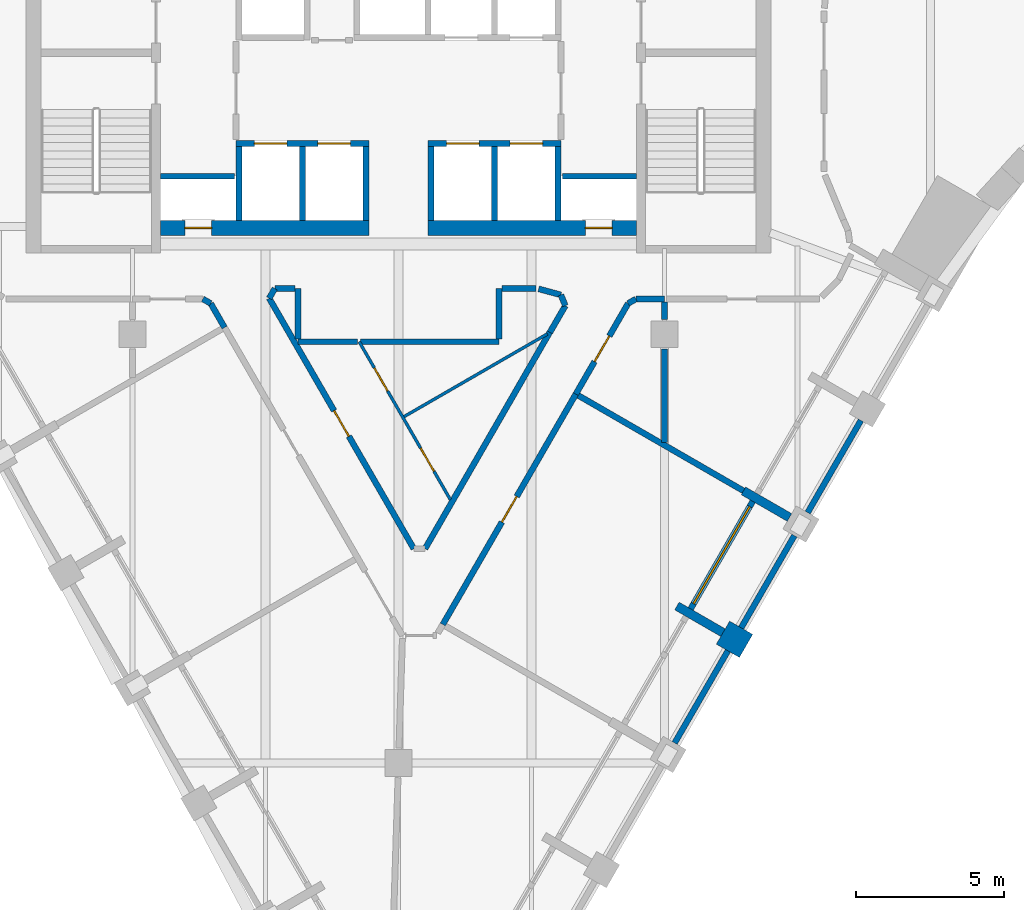
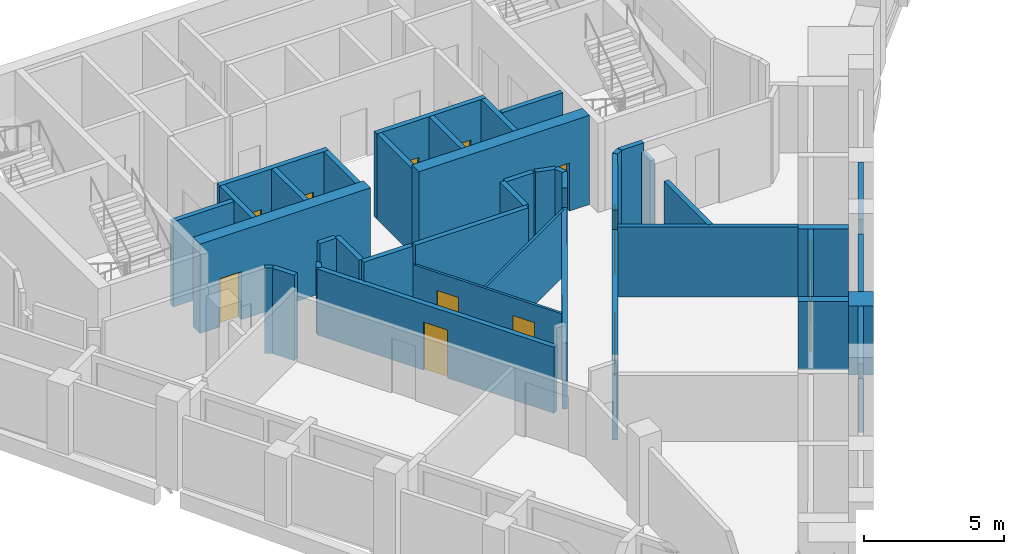
# One storey, part 4 of 9: 42 walls, 11 doors, 1 window, 12 openings.
"""IFC4 building model written with IfcOpenShell, lengths in metres."""

from ifc_helpers import new_model, si_unit, direction, frame, frame_2d, origin, place, context, subcontext, project, spatial, rectangle, extrude, material, layer, layer_set, type_object, element, fill, save


model = new_model("IFC4")

# Units and contexts
model_context = context("Model", 3, precision=1e-05, world=origin(), true_north=direction((0.0, 1.0)))
body_context = subcontext(model_context, "Body", "Model", "MODEL_VIEW")
ifc_project = project(units=[si_unit("LENGTHUNIT", "METRE"), si_unit("AREAUNIT", "SQUARE_METRE"), si_unit("VOLUMEUNIT", "CUBIC_METRE"), si_unit("PLANEANGLEUNIT", "RADIAN"), si_unit("MASSUNIT", "GRAM", prefix="KILO")], contexts=[model_context])

# Site, building, storey
site_placement = place(None, origin())
site = spatial("IfcSite", under=ifc_project, at=site_placement, CompositionType="ELEMENT")
building_placement = place(site_placement, origin())
building = spatial("IfcBuilding", under=site, at=building_placement, Name="Calabash Gate Tower", CompositionType="ELEMENT")
storey_placement = place(building_placement, frame((0.0, 0.0, 283.300048828125)))
storey = spatial("IfcBuildingStorey", under=building, at=storey_placement, Name="L68", CompositionType="ELEMENT", Elevation=283.300048828125)

# Walls
ifc_material_1 = material(Name="Terracotta brick masonry, exposed face", Category="masonry")
ifc_layer_1 = layer(ifc_material_1, 0.89990234375)
ifc_layer_set_1 = layer_set([ifc_layer_1], Name="Brick end wall 900")
wall_type_1 = type_object("IfcWallType", Name="Brick end wall 900", PredefinedType="SOLIDWALL", material=ifc_layer_set_1)
wall_1_placement = place(storey_placement, frame((11.758544921875, -8.041015625, 0.0), z_axis=(0.0, 0.0, 1.0), x_axis=(-0.866013897511, 0.50001992892, 0.0)))
element("IfcWall", 1, at=wall_1_placement, inside=storey, type_object=wall_type_1, Name="Brick pier S20 SE2.3", PredefinedType="SOLIDWALL", context=body_context, shape_type="SweptSolid", body=[
    extrude(rectangle(XDim=0.89990234375, YDim=0.89990234375, at=frame_2d((0.449951171875, 0.0))), origin(), (0.0, 0.0, 1.0), 3.0),
])
ifc_material_2 = material(Name="Terracotta brick masonry, exposed face", Category="masonry")
ifc_layer_2 = layer(ifc_material_2, 0.300048828125)
ifc_layer_set_2 = layer_set([ifc_layer_2], Name="Brick loggia cheek wall 300")
wall_type_2 = type_object("IfcWallType", Name="Brick loggia cheek wall 300", PredefinedType="SOLIDWALL", material=ifc_layer_set_2)
for number, where, z_axis, x_axis, name in (
    (2, (9.42041015625, -6.69091796875, 0.0), (0.0, 0.0, 1.0), (0.865989075817, -0.500062916607, 0.0), "Loggia cheek S20 SE2.3"),
    (3, (13.229248046875, -3.69384765625, 0.0), (0.0, 0.0, 1.0), (-0.866047807691, 0.499961193289, 0.0), "Loggia cheek S20 SE2.4"),
):
    element("IfcWall", number, at=place(storey_placement, frame(where, z_axis=z_axis, x_axis=x_axis)), inside=storey, type_object=wall_type_2, Name=name, PredefinedType="SOLIDWALL", context=body_context, shape_type="SweptSolid", body=[
        extrude(rectangle(XDim=1.800048828125, YDim=0.300048828125, at=frame_2d((0.89990234375, 0.0))), origin(), (0.0, 0.0, 1.0), 3.0),
    ])

# Wall, opening, door
ifc_material_3 = material(Name="Concrete C60/75", Category="concrete")
ifc_layer_3 = layer(ifc_material_3, 0.5)
ifc_layer_set_3 = layer_set([ifc_layer_3], Name="Core wall 500 Concrete C60/75")
wall_type_3 = type_object("IfcWallType", Name="Core wall 500 Concrete C60/75", PredefinedType="SHEAR", material=ifc_layer_set_3)
wall_2_placement = place(storey_placement, frame((-8.050048828125, 6.1025390625, 0.0), z_axis=(0.0, 0.0, 1.0), x_axis=(1.0, 0.0, 0.0)))
wall_2 = element("IfcWall", 4, at=wall_2_placement, inside=storey, type_object=wall_type_3, Name="Core wall Z5-SA L68", PredefinedType="SHEAR", context=body_context, shape_type="SweptSolid", body=[
    extrude(rectangle(XDim=7.050048828125, YDim=0.5, at=frame_2d((3.52490234375, 0.0))), origin(), (0.0, 0.0, 1.0), 3.89990234375),
])
opening_1_placement = place(wall_2_placement, frame((0.824951171875, 0.0, 0.0)))
opening_1 = element("IfcOpeningElement", 5, at=opening_1_placement, cuts=wall_2, Name="Opening O12-008", PredefinedType="OPENING", context=body_context, shape_type="SweptSolid", body=[
    extrude(rectangle(XDim=0.89990234375, YDim=2.10009765625, at=frame_2d((0.449951171875, 1.050048828125))), frame((0.0, 0.260009765625, 0.0), z_axis=(0.0, -1.0, 0.0), x_axis=(1.0, 0.0, 0.0)), (0.0, 0.0, 1.0), 0.52001953125),
])
ifc_material_4 = material(Name="Steel fire door set with fire-resisting glazing", Category="steel")
door_type_1 = type_object("IfcDoorType", Name="Fire door D07 900x2100 FD90", OperationType="NOTDEFINED", PredefinedType="DOOR", material=ifc_material_4)
door_1_placement = place(opening_1_placement, origin())
door_1 = element("IfcDoor", 6, at=door_1_placement, inside=storey, type_object=door_type_1, Name="Electrical Riser W door", OperationType="SINGLE_SWING_LEFT", OverallHeight=2.10009765625, OverallWidth=0.89990234375, PredefinedType="DOOR", context=body_context, shape_type="SweptSolid", body=[
    extrude(rectangle(XDim=0.89990234375, YDim=2.10009765625, at=frame_2d((0.449951171875, 1.050048828125))), frame((0.0, 0.02490234375, 0.0), z_axis=(0.0, -1.0, 0.0), x_axis=(1.0, 0.0, 0.0)), (0.0, 0.0, 1.0), 0.050048828125),
])
fill(opening_1, door_1)

wall_3_placement = place(storey_placement, frame((1.0, 6.1025390625, 0.0), z_axis=(0.0, 0.0, 1.0), x_axis=(1.0, 0.0, 0.0)))
wall_3 = element("IfcWall", 7, at=wall_3_placement, inside=storey, type_object=wall_type_3, Name="Core wall Z5-SB L68", PredefinedType="SHEAR", context=body_context, shape_type="SweptSolid", body=[
    extrude(rectangle(XDim=7.050048828125, YDim=0.5, at=frame_2d((3.52490234375, 0.0))), origin(), (0.0, 0.0, 1.0), 3.89990234375),
])
opening_2_placement = place(wall_3_placement, frame((5.324951171875, 0.0, 0.0)))
opening_2 = element("IfcOpeningElement", 8, at=opening_2_placement, cuts=wall_3, Name="Opening O12-007", PredefinedType="OPENING", context=body_context, shape_type="SweptSolid", body=[
    extrude(rectangle(XDim=0.89990234375, YDim=2.10009765625, at=frame_2d((0.449951171875, 1.050048828125))), frame((0.0, 0.260009765625, 0.0), z_axis=(0.0, -1.0, 0.0), x_axis=(1.0, 0.0, 0.0)), (0.0, 0.0, 1.0), 0.52001953125),
])
door_2_placement = place(opening_2_placement, origin())
door_2 = element("IfcDoor", 9, at=door_2_placement, inside=storey, type_object=door_type_1, Name="Mechanical Riser E door", OperationType="SINGLE_SWING_RIGHT", OverallHeight=2.10009765625, OverallWidth=0.89990234375, PredefinedType="DOOR", context=body_context, shape_type="SweptSolid", body=[
    extrude(rectangle(XDim=0.89990234375, YDim=2.10009765625, at=frame_2d((0.449951171875, 1.050048828125))), frame((0.0, 0.02490234375, 0.0), z_axis=(0.0, -1.0, 0.0), x_axis=(1.0, 0.0, 0.0)), (0.0, 0.0, 1.0), 0.050048828125),
])
fill(opening_2, door_2)

# Wall, openings, doors
ifc_material_5 = material(Name="Gypsum board on steel studs, mineral wool", Category="steel")
ifc_layer_4 = layer(ifc_material_5, 0.10009765625)
ifc_layer_set_4 = layer_set([ifc_layer_4], Name="Partition 100 gypsum board")
wall_type_4 = type_object("IfcWallType", Name="Partition 100 gypsum board", PredefinedType="PARTITIONING", material=ifc_layer_set_4)
wall_4_placement = place(storey_placement, frame((-1.330078125, 2.25244140625, 0.0), z_axis=(0.0, 0.0, 1.0), x_axis=(0.499984964964, -0.866034084092, 0.0)))
wall_4 = element("IfcWall", 10, at=wall_4_placement, inside=storey, type_object=wall_type_4, Name="Partition", PredefinedType="PARTITIONING", context=body_context, shape_type="SweptSolid", body=[
    extrude(rectangle(XDim=6.172119140625, YDim=0.10009765625, at=frame_2d((3.0859375, 0.0))), origin(), (0.0, 0.0, 1.0), 2.884033203125),
])
opening_3_placement = place(wall_4_placement, frame((1.025634765625, 0.0, 0.0)))
opening_3 = element("IfcOpeningElement", 11, at=opening_3_placement, cuts=wall_4, Name="Opening 67-68-013", PredefinedType="OPENING", context=body_context, shape_type="SweptSolid", body=[
    extrude(rectangle(XDim=0.89990234375, YDim=2.10009765625, at=frame_2d((0.449951171875, 1.050048828125))), frame((0.0, 0.06005859375, 0.0), z_axis=(0.0, -1.0, 0.0), x_axis=(1.0, 0.0, 0.0)), (0.0, 0.0, 1.0), 0.1201171875),
])
opening_4_placement = place(wall_4_placement, frame((4.162841796875, 0.0, 0.0)))
opening_4 = element("IfcOpeningElement", 12, at=opening_4_placement, cuts=wall_4, Name="Opening 67-68-014", PredefinedType="OPENING", context=body_context, shape_type="SweptSolid", body=[
    extrude(rectangle(XDim=0.89990234375, YDim=2.10009765625, at=frame_2d((0.449951171875, 1.050048828125))), frame((0.0, 0.06005859375, 0.0), z_axis=(0.0, -1.0, 0.0), x_axis=(1.0, 0.0, 0.0)), (0.0, 0.0, 1.0), 0.1201171875),
])
ifc_material_6 = material(Name="Painted timber door", Category="wood")
door_type_2 = type_object("IfcDoorType", Name="WD1 WC door 900x2100", OperationType="NOTDEFINED", PredefinedType="DOOR", material=ifc_material_6)
door_3_placement = place(opening_3_placement, origin())
door_3 = element("IfcDoor", 13, at=door_3_placement, inside=storey, type_object=door_type_2, Name="WC door", OperationType="SINGLE_SWING_LEFT", OverallHeight=2.10009765625, OverallWidth=0.89990234375, PredefinedType="DOOR", context=body_context, shape_type="SweptSolid", body=[
    extrude(rectangle(XDim=0.89990234375, YDim=2.10009765625, at=frame_2d((0.449951171875, 1.050048828125))), frame((0.0, 0.02490234375, 0.0), z_axis=(0.0, -1.0, 0.0), x_axis=(1.0, 0.0, 0.0)), (0.0, 0.0, 1.0), 0.050048828125),
])
fill(opening_3, door_3)
door_4_placement = place(opening_4_placement, origin())
door_4 = element("IfcDoor", 14, at=door_4_placement, inside=storey, type_object=door_type_2, Name="WC door", OperationType="SINGLE_SWING_RIGHT", OverallHeight=2.10009765625, OverallWidth=0.89990234375, PredefinedType="DOOR", context=body_context, shape_type="SweptSolid", body=[
    extrude(rectangle(XDim=0.89990234375, YDim=2.10009765625, at=frame_2d((0.449951171875, 1.050048828125))), frame((0.0, 0.02490234375, 0.0), z_axis=(0.0, -1.0, 0.0), x_axis=(1.0, 0.0, 0.0)), (0.0, 0.0, 1.0), 0.050048828125),
])
fill(opening_4, door_4)

# Walls
wall_5_placement = place(storey_placement, frame((0.190185546875, -0.28125, 0.0), z_axis=(0.0, 0.0, 1.0), x_axis=(0.866035935605, 0.499981757907, 0.0)))
element("IfcWall", 15, at=wall_5_placement, inside=storey, type_object=wall_type_4, Name="Partition", PredefinedType="PARTITIONING", context=body_context, shape_type="SweptSolid", body=[
    extrude(rectangle(XDim=5.596435546875, YDim=0.10009765625, at=frame_2d((2.79833984375, 0.0))), origin(), (0.0, 0.0, 1.0), 2.884033203125),
])
ifc_material_7 = material(Name="Gypsum board on steel studs, mineral wool", Category="steel")
ifc_layer_5 = layer(ifc_material_7, 0.199951171875)
ifc_layer_set_5 = layer_set([ifc_layer_5], Name="Partition 200 gypsum board EI 60")
wall_type_5 = type_object("IfcWallType", Name="Partition 200 gypsum board EI 60", PredefinedType="PARTITIONING", material=ifc_layer_set_5)
wall_6_placement = place(storey_placement, frame((0.898193359375, -4.75146484375, 0.0), z_axis=(0.0, 0.0, 1.0), x_axis=(0.499141293918, 0.866520610664, 0.0)))
element("IfcWall", 16, at=wall_6_placement, inside=storey, type_object=wall_type_5, Name="Partition", PredefinedType="PARTITIONING", context=body_context, shape_type="SweptSolid", body=[
    extrude(rectangle(XDim=8.450927734375, YDim=0.199951171875, at=frame_2d((4.2255859375, 0.0))), origin(), (0.0, 0.0, 1.0), 2.884033203125),
])
wall_7_placement = place(storey_placement, frame((6.0859375, 0.4326171875, 0.0), z_axis=(0.0, 0.0, 1.0), x_axis=(0.866035557451, -0.499982412921, 0.0)))
element("IfcWall", 17, at=wall_7_placement, inside=storey, type_object=wall_type_5, Name="Partition", PredefinedType="PARTITIONING", context=body_context, shape_type="SweptSolid", body=[
    extrude(rectangle(XDim=6.449462890625, YDim=0.199951171875, at=frame_2d((3.224609375, 0.0))), origin(), (0.0, 0.0, 1.0), 3.0517578125),
])

# Wall, opening, door
wall_8_placement = place(storey_placement, frame((1.49951171875, -7.314208984375, 0.0), z_axis=(0.0, 0.0, 1.0), x_axis=(0.499990139034, 0.866031096941, 0.0)))
wall_8 = element("IfcWall", 18, at=wall_8_placement, inside=storey, type_object=wall_type_5, Name="Partition", PredefinedType="PARTITIONING", context=body_context, shape_type="SweptSolid", body=[
    extrude(rectangle(XDim=9.000244140625, YDim=0.199951171875, at=frame_2d((4.5, 0.0))), origin(), (0.0, 0.0, 1.0), 2.884033203125),
])
opening_5_placement = place(wall_8_placement, frame((4.0, 0.0, 0.0)))
opening_5 = element("IfcOpeningElement", 19, at=opening_5_placement, cuts=wall_8, Name="Opening 67-68-002", PredefinedType="OPENING", context=body_context, shape_type="SweptSolid", body=[
    extrude(rectangle(XDim=1.0, YDim=2.10009765625, at=frame_2d((0.5, 1.050048828125))), frame((0.0, 0.10986328125, 0.0), z_axis=(0.0, -1.0, 0.0), x_axis=(1.0, 0.0, 0.0)), (0.0, 0.0, 1.0), 0.219970703125),
])
ifc_material_8 = material(Name="Steel fire door set with fire-resisting glazing", Category="steel")
door_type_3 = type_object("IfcDoorType", Name="LD2 Meeting room door 1000x2100", OperationType="NOTDEFINED", PredefinedType="DOOR", material=ifc_material_8)
door_5_placement = place(opening_5_placement, origin())
door_5 = element("IfcDoor", 20, at=door_5_placement, inside=storey, type_object=door_type_3, Name="Meeting room door", OperationType="SINGLE_SWING_RIGHT", OverallHeight=2.10009765625, OverallWidth=1.0, PredefinedType="DOOR", context=body_context, shape_type="SweptSolid", body=[
    extrude(rectangle(XDim=1.0, YDim=2.10009765625, at=frame_2d((0.5, 1.050048828125))), frame((0.0, 0.02490234375, 0.0), z_axis=(0.0, -1.0, 0.0), x_axis=(1.0, 0.0, 0.0)), (0.0, 0.0, 1.0), 0.050048828125),
])
fill(opening_5, door_5)

# Walls
wall_9_placement = place(storey_placement, frame((9.000244140625, -1.151611328125, 0.0), z_axis=(0.0, 0.0, 1.0), x_axis=(0.0, 1.0, 0.0)))
element("IfcWall", 21, at=wall_9_placement, inside=storey, type_object=wall_type_5, Name="Partition", PredefinedType="PARTITIONING", context=body_context, shape_type="SweptSolid", body=[
    extrude(rectangle(XDim=3.151611328125, YDim=0.199951171875, at=frame_2d((1.57568359375, 0.0))), origin(), (0.0, 0.0, 1.0), 3.0517578125),
])
wall_10_placement = place(storey_placement, frame((-3.400146484375, 2.25244140625, 0.0), z_axis=(0.0, 0.0, 1.0), x_axis=(0.999999531889, -0.00096758542, 0.0)))
element("IfcWall", 22, at=wall_10_placement, inside=storey, type_object=wall_type_5, Name="Partition", PredefinedType="PARTITIONING", context=body_context, shape_type="SweptSolid", body=[
    extrude(rectangle(XDim=2.0185546875, YDim=0.199951171875, at=frame_2d((1.00927734375, 0.0))), origin(), (0.0, 0.0, 1.0), 3.72998046875),
])
wall_11_placement = place(storey_placement, frame((-1.28125, 2.25048828125, 0.0), z_axis=(0.0, 0.0, 1.0), x_axis=(0.999999912959, 0.000417231632, 0.0)))
element("IfcWall", 23, at=wall_11_placement, inside=storey, type_object=wall_type_5, Name="Partition", PredefinedType="PARTITIONING", context=body_context, shape_type="SweptSolid", body=[
    extrude(rectangle(XDim=4.68115234375, YDim=0.199951171875, at=frame_2d((2.340576171875, 0.0))), origin(), (0.0, 0.0, 1.0), 3.72998046875),
])
wall_12_placement = place(storey_placement, frame((-3.402099609375, 4.050537109375, 0.0), z_axis=(0.0, 0.0, 1.0), x_axis=(0.001150085496, -0.999999338651, 0.0)))
element("IfcWall", 24, at=wall_12_placement, inside=storey, type_object=wall_type_5, Name="Partition", PredefinedType="PARTITIONING", context=body_context, shape_type="SweptSolid", body=[
    extrude(rectangle(XDim=1.6982421875, YDim=0.199951171875, at=frame_2d((0.84912109375, 0.0))), origin(), (0.0, 0.0, 1.0), 3.72998046875),
])
wall_13_placement = place(storey_placement, frame((5.122314453125, 2.568603515625, 0.0), z_axis=(0.0, 0.0, 1.0), x_axis=(0.501525356051, 0.86514294613, 0.0)))
element("IfcWall", 25, at=wall_13_placement, inside=storey, type_object=wall_type_5, Name="Partition", PredefinedType="PARTITIONING", context=body_context, shape_type="SweptSolid", body=[
    extrude(rectangle(XDim=1.042724609375, YDim=0.199951171875, at=frame_2d((0.521484375, 0.0))), origin(), (0.0, 0.0, 1.0), 3.72998046875),
])
wall_14_placement = place(storey_placement, frame((-6.352783203125, 3.54638671875, 0.0), z_axis=(0.0, 0.0, 1.0), x_axis=(0.498715622975, -0.86676567041, 0.0)))
element("IfcWall", 26, at=wall_14_placement, inside=storey, type_object=wall_type_5, Name="Partition", PredefinedType="PARTITIONING", context=body_context, shape_type="SweptSolid", body=[
    extrude(rectangle(XDim=0.93798828125, YDim=0.199951171875, at=frame_2d((0.468994140625, 0.0))), origin(), (0.0, 0.0, 1.0), 3.72998046875),
])
wall_15_placement = place(storey_placement, frame((5.494140625, 3.8369140625, 0.0), z_axis=(0.0, 0.0, 1.0), x_axis=(0.381462580175, -0.924384281523, 0.0)))
element("IfcWall", 27, at=wall_15_placement, inside=storey, type_object=wall_type_5, Name="Partition", PredefinedType="PARTITIONING", context=body_context, shape_type="SweptSolid", body=[
    extrude(rectangle(XDim=0.396240234375, YDim=0.199951171875, at=frame_2d((0.1982421875, 0.0))), origin(), (0.0, 0.0, 1.0), 3.72998046875),
])
wall_16_placement = place(storey_placement, frame((-6.61767578125, 3.699462890625, 0.0), z_axis=(0.0, 0.0, 1.0), x_axis=(0.865826662844, -0.500344071524, 0.0)))
element("IfcWall", 28, at=wall_16_placement, inside=storey, type_object=wall_type_5, Name="Partition", PredefinedType="PARTITIONING", context=body_context, shape_type="SweptSolid", body=[
    extrude(rectangle(XDim=0.305908203125, YDim=0.199951171875, at=frame_2d((0.15283203125, 0.0))), origin(), (0.0, 0.0, 1.0), 3.72998046875),
])

# Wall, opening, door
wall_17_placement = place(storey_placement, frame((6.0, 0.480712890625, 0.0), z_axis=(0.0, 0.0, 1.0), x_axis=(0.499648797631, 0.866228075639, 0.0)))
wall_17 = element("IfcWall", 29, at=wall_17_placement, inside=storey, type_object=wall_type_5, Name="Partition", PredefinedType="PARTITIONING", context=body_context, shape_type="SweptSolid", body=[
    extrude(rectangle(XDim=3.5390625, YDim=0.199951171875, at=frame_2d((1.76953125, 0.0))), origin(), (0.0, 0.0, 1.0), 3.72998046875),
])
opening_6_placement = place(wall_17_placement, frame((1.26953125, 0.0, 0.0)))
opening_6 = element("IfcOpeningElement", 30, at=opening_6_placement, cuts=wall_17, Name="Opening 67-68-008", PredefinedType="OPENING", context=body_context, shape_type="SweptSolid", body=[
    extrude(rectangle(XDim=1.0, YDim=2.39990234375, at=frame_2d((0.5, 1.199951171875))), frame((0.0, 0.10986328125, 0.0), z_axis=(0.0, -1.0, 0.0), x_axis=(1.0, 0.0, 0.0)), (0.0, 0.0, 1.0), 0.219970703125),
])
ifc_material_9 = material(Name="Painted timber door", Category="wood")
door_type_4 = type_object("IfcDoorType", Name="OD2 Glazed office door 1000x2400", OperationType="NOTDEFINED", PredefinedType="DOOR", material=ifc_material_9)
door_6_placement = place(opening_6_placement, origin())
door_6 = element("IfcDoor", 31, at=door_6_placement, inside=storey, type_object=door_type_4, Name="Glazed office door", OperationType="SINGLE_SWING_LEFT", OverallHeight=2.39990234375, OverallWidth=1.0, PredefinedType="DOOR", context=body_context, shape_type="SweptSolid", body=[
    extrude(rectangle(XDim=1.0, YDim=2.39990234375, at=frame_2d((0.5, 1.199951171875))), frame((0.0, 0.02490234375, 0.0), z_axis=(0.0, -1.0, 0.0), x_axis=(1.0, 0.0, 0.0)), (0.0, 0.0, 1.0), 0.050048828125),
])
fill(opening_6, door_6)

# Walls
wall_18_placement = place(storey_placement, frame((9.000244140625, 3.0, 0.0), z_axis=(0.0, 0.0, 1.0), x_axis=(0.002442989453, 0.999997015897, 0.0)))
element("IfcWall", 32, at=wall_18_placement, inside=storey, type_object=wall_type_5, Name="Partition", PredefinedType="PARTITIONING", context=body_context, shape_type="SweptSolid", body=[
    extrude(rectangle(XDim=0.599609375, YDim=0.199951171875, at=frame_2d((0.2998046875, 0.0))), origin(), (0.0, 0.0, 1.0), 3.33154296875),
])
wall_19_placement = place(storey_placement, frame((7.768310546875, 3.54638671875, 0.0), z_axis=(0.0, 0.0, 1.0), x_axis=(0.865826662844, 0.500344071524, 0.0)))
element("IfcWall", 33, at=wall_19_placement, inside=storey, type_object=wall_type_5, Name="Partition", PredefinedType="PARTITIONING", context=body_context, shape_type="SweptSolid", body=[
    extrude(rectangle(XDim=0.305908203125, YDim=0.199951171875, at=frame_2d((0.15283203125, 0.0))), origin(), (0.0, 0.0, 1.0), 3.72998046875),
])
wall_20_placement = place(storey_placement, frame((8.033203125, 3.699462890625, 0.0), z_axis=(0.0, 0.0, 1.0), x_axis=(0.99999885216, -0.001515149776, 0.0)))
element("IfcWall", 34, at=wall_20_placement, inside=storey, type_object=wall_type_5, Name="Partition", PredefinedType="PARTITIONING", context=body_context, shape_type="SweptSolid", body=[
    extrude(rectangle(XDim=0.966796875, YDim=0.199951171875, at=frame_2d((0.4833984375, 0.0))), origin(), (0.0, 0.0, 1.0), 3.72998046875),
])

# Wall, opening, door
wall_21_placement = place(storey_placement, frame((-4.375, 3.72265625, 0.0), z_axis=(0.0, 0.0, 1.0), x_axis=(0.499984508542, -0.866034347597, 0.0)))
wall_21 = element("IfcWall", 35, at=wall_21_placement, inside=storey, type_object=wall_type_5, Name="Partition", PredefinedType="PARTITIONING", context=body_context, shape_type="SweptSolid", body=[
    extrude(rectangle(XDim=9.784912109375, YDim=0.199951171875, at=frame_2d((4.892578125, 0.0))), origin(), (0.0, 0.0, 1.0), 2.884033203125),
])
opening_7_placement = place(wall_21_placement, frame((4.392578125, 0.0, 0.0)))
opening_7 = element("IfcOpeningElement", 36, at=opening_7_placement, cuts=wall_21, Name="Opening 67-68-012", PredefinedType="OPENING", context=body_context, shape_type="SweptSolid", body=[
    extrude(rectangle(XDim=1.0, YDim=2.10009765625, at=frame_2d((0.5, 1.050048828125))), frame((0.0, 0.10986328125, 0.0), z_axis=(0.0, -1.0, 0.0), x_axis=(1.0, 0.0, 0.0)), (0.0, 0.0, 1.0), 0.219970703125),
])
ifc_material_10 = material(Name="Steel fire door set with fire-resisting glazing", Category="steel")
door_type_5 = type_object("IfcDoorType", Name="WD3 WC lobby door 1000x2100", OperationType="NOTDEFINED", PredefinedType="DOOR", material=ifc_material_10)
door_7_placement = place(opening_7_placement, origin())
door_7 = element("IfcDoor", 37, at=door_7_placement, inside=storey, type_object=door_type_5, Name="WC lobby door", OperationType="SINGLE_SWING_LEFT", OverallHeight=2.10009765625, OverallWidth=1.0, PredefinedType="DOOR", context=body_context, shape_type="SweptSolid", body=[
    extrude(rectangle(XDim=1.0, YDim=2.10009765625, at=frame_2d((0.5, 1.050048828125))), frame((0.0, 0.02490234375, 0.0), z_axis=(0.0, -1.0, 0.0), x_axis=(1.0, 0.0, 0.0)), (0.0, 0.0, 1.0), 0.050048828125),
])
fill(opening_7, door_7)

# Walls
wall_22_placement = place(storey_placement, frame((4.7421875, 4.041015625, 0.0), z_axis=(0.0, 0.0, 1.0), x_axis=(0.965081274591, -0.261950631675, 0.0)))
element("IfcWall", 38, at=wall_22_placement, inside=storey, type_object=wall_type_5, Name="Partition", PredefinedType="PARTITIONING", context=body_context, shape_type="SweptSolid", body=[
    extrude(rectangle(XDim=0.779052734375, YDim=0.199951171875, at=frame_2d((0.3896484375, 0.0))), origin(), (0.0, 0.0, 1.0), 3.72998046875),
])
wall_23_placement = place(storey_placement, frame((-4.375, 3.72265625, 0.0), z_axis=(0.0, 0.0, 1.0), x_axis=(0.499999897272, 0.866025463095, 0.0)))
element("IfcWall", 39, at=wall_23_placement, inside=storey, type_object=wall_type_5, Name="Partition", PredefinedType="PARTITIONING", context=body_context, shape_type="SweptSolid", body=[
    extrude(rectangle(XDim=0.380859375, YDim=0.199951171875, at=frame_2d((0.1904296875, 0.0))), origin(), (0.0, 0.0, 1.0), 2.884033203125),
])
wall_24_placement = place(storey_placement, frame((-4.1845703125, 4.052490234375, 0.0), z_axis=(0.0, 0.0, 1.0), x_axis=(0.999996866067, -0.002503568692, 0.0)))
element("IfcWall", 40, at=wall_24_placement, inside=storey, type_object=wall_type_5, Name="Partition", PredefinedType="PARTITIONING", context=body_context, shape_type="SweptSolid", body=[
    extrude(rectangle(XDim=0.6826171875, YDim=0.199951171875, at=frame_2d((0.34130859375, 0.0))), origin(), (0.0, 0.0, 1.0), 3.72998046875),
])
wall_25_placement = place(storey_placement, frame((3.400146484375, 2.352294921875, 0.0), z_axis=(0.0, 0.0, 1.0), x_axis=(0.001150085496, 0.999999338651, 0.0)))
element("IfcWall", 41, at=wall_25_placement, inside=storey, type_object=wall_type_5, Name="Partition", PredefinedType="PARTITIONING", context=body_context, shape_type="SweptSolid", body=[
    extrude(rectangle(XDim=1.6982421875, YDim=0.199951171875, at=frame_2d((0.84912109375, 0.0))), origin(), (0.0, 0.0, 1.0), 3.72998046875),
])
wall_26_placement = place(storey_placement, frame((3.501953125, 4.05078125, 0.0), z_axis=(0.0, 0.0, 1.0), x_axis=(0.999998904, 0.001480539832, 0.0)))
element("IfcWall", 42, at=wall_26_placement, inside=storey, type_object=wall_type_5, Name="Partition", PredefinedType="PARTITIONING", context=body_context, shape_type="SweptSolid", body=[
    extrude(rectangle(XDim=1.154296875, YDim=0.199951171875, at=frame_2d((0.5771484375, 0.0))), origin(), (0.0, 0.0, 1.0), 3.72998046875),
])
ifc_material_11 = material(Name="Concrete C40/50", Category="concrete")
ifc_layer_6 = layer(ifc_material_11, 0.199951171875)
ifc_layer_set_6 = layer_set([ifc_layer_6], Name="Shaft wall 200 Concrete C40/50")
wall_type_6 = type_object("IfcWallType", Name="Shaft wall 200 Concrete C40/50", PredefinedType="SOLIDWALL", material=ifc_layer_set_6)
for number, where, z_axis, x_axis, name in (
    (43, (-5.39990234375, 6.3525390625, 0.0), (0.0, 0.0, 1.0), (0.0, 1.0, 0.0), "Shaft wall"),
    (44, (-3.25, 6.3525390625, 0.0), (0.0, 0.0, 1.0), (0.0, 1.0, 0.0), "Shaft wall"),
    (45, (-1.10009765625, 6.3525390625, 0.0), (0.0, 0.0, 1.0), (0.0, 1.0, 0.0), "Shaft wall"),
    (46, (1.10009765625, 6.3525390625, 0.0), (0.0, 0.0, 1.0), (0.0, 1.0, 0.0), "Shaft wall"),
    (47, (3.25, 6.3525390625, 0.0), (0.0, 0.0, 1.0), (0.0, 1.0, 0.0), "Shaft wall"),
    (48, (5.39990234375, 6.3525390625, 0.0), (0.0, 0.0, 1.0), (0.0, 1.0, 0.0), "Shaft wall"),
    (49, (-8.050048828125, 7.8525390625, 0.0), (0.0, 0.0, 1.0), (1.0, 0.0, 0.0), "Shaft wall"),
    (50, (5.550048828125, 7.8525390625, 0.0), (0.0, 0.0, 1.0), (1.0, 0.0, 0.0), "Shaft wall"),
):
    element("IfcWall", number, at=place(storey_placement, frame(where, z_axis=z_axis, x_axis=x_axis)), inside=storey, type_object=wall_type_6, Name=name, PredefinedType="SOLIDWALL", context=body_context, shape_type="SweptSolid", body=[
        extrude(rectangle(XDim=2.5, YDim=0.199951171875, at=frame_2d((1.25, 0.0))), origin(), (0.0, 0.0, 1.0), 3.72998046875),
    ])

# Wall, openings, doors
wall_27_placement = place(storey_placement, frame((-5.5, 8.95263671875, 0.0), z_axis=(0.0, 0.0, 1.0), x_axis=(1.0, 0.0, 0.0)))
wall_27 = element("IfcWall", 51, at=wall_27_placement, inside=storey, type_object=wall_type_6, Name="Shaft wall", PredefinedType="SOLIDWALL", context=body_context, shape_type="SweptSolid", body=[
    extrude(rectangle(XDim=4.5, YDim=0.199951171875, at=frame_2d((2.25, 0.0))), origin(), (0.0, 0.0, 1.0), 3.72998046875),
])
opening_8_placement = place(wall_27_placement, frame((0.625, 0.0, 0.0)))
opening_8 = element("IfcOpeningElement", 52, at=opening_8_placement, cuts=wall_27, Name="Opening LD-HR1", PredefinedType="OPENING", context=body_context, shape_type="SweptSolid", body=[
    extrude(rectangle(XDim=1.10009765625, YDim=2.10009765625, at=frame_2d((0.550048828125, 1.050048828125))), frame((0.0, 0.10986328125, 0.0), z_axis=(0.0, -1.0, 0.0), x_axis=(1.0, 0.0, 0.0)), (0.0, 0.0, 1.0), 0.219970703125),
])
opening_9_placement = place(wall_27_placement, frame((2.77490234375, 0.0, 0.0)))
opening_9 = element("IfcOpeningElement", 53, at=opening_9_placement, cuts=wall_27, Name="Opening LD-HR2", PredefinedType="OPENING", context=body_context, shape_type="SweptSolid", body=[
    extrude(rectangle(XDim=1.10009765625, YDim=2.10009765625, at=frame_2d((0.550048828125, 1.050048828125))), frame((0.0, 0.10986328125, 0.0), z_axis=(0.0, -1.0, 0.0), x_axis=(1.0, 0.0, 0.0)), (0.0, 0.0, 1.0), 0.219970703125),
])
ifc_material_12 = material(Name="Stainless steel sliding door leaves", Category="steel")
door_type_6 = type_object("IfcDoorType", Name="Lift landing door LS1 1100x2100 FD90", OperationType="DOUBLE_DOOR_SLIDING", PredefinedType="DOOR", material=ifc_material_12)
door_8_placement = place(opening_8_placement, origin())
door_8 = element("IfcDoor", 54, at=door_8_placement, inside=storey, type_object=door_type_6, Name="Lift landing door HR1", OperationType="DOUBLE_DOOR_SLIDING", OverallHeight=2.10009765625, OverallWidth=1.10009765625, PredefinedType="DOOR", context=body_context, shape_type="SweptSolid", body=[
    extrude(rectangle(XDim=1.10009765625, YDim=2.10009765625, at=frame_2d((0.550048828125, 1.050048828125))), frame((0.0, 0.02490234375, 0.0), z_axis=(0.0, -1.0, 0.0), x_axis=(1.0, 0.0, 0.0)), (0.0, 0.0, 1.0), 0.050048828125),
])
fill(opening_8, door_8)
door_9_placement = place(opening_9_placement, origin())
door_9 = element("IfcDoor", 55, at=door_9_placement, inside=storey, type_object=door_type_6, Name="Lift landing door HR2", OperationType="DOUBLE_DOOR_SLIDING", OverallHeight=2.10009765625, OverallWidth=1.10009765625, PredefinedType="DOOR", context=body_context, shape_type="SweptSolid", body=[
    extrude(rectangle(XDim=1.10009765625, YDim=2.10009765625, at=frame_2d((0.550048828125, 1.050048828125))), frame((0.0, 0.02490234375, 0.0), z_axis=(0.0, -1.0, 0.0), x_axis=(1.0, 0.0, 0.0)), (0.0, 0.0, 1.0), 0.050048828125),
])
fill(opening_9, door_9)

wall_28_placement = place(storey_placement, frame((1.0, 8.95263671875, 0.0), z_axis=(0.0, 0.0, 1.0), x_axis=(1.0, 0.0, 0.0)))
wall_28 = element("IfcWall", 56, at=wall_28_placement, inside=storey, type_object=wall_type_6, Name="Shaft wall", PredefinedType="SOLIDWALL", context=body_context, shape_type="SweptSolid", body=[
    extrude(rectangle(XDim=4.5, YDim=0.199951171875, at=frame_2d((2.25, 0.0))), origin(), (0.0, 0.0, 1.0), 3.72998046875),
])
opening_10_placement = place(wall_28_placement, frame((0.625, 0.0, 0.0)))
opening_10 = element("IfcOpeningElement", 57, at=opening_10_placement, cuts=wall_28, Name="Opening LD-HR3", PredefinedType="OPENING", context=body_context, shape_type="SweptSolid", body=[
    extrude(rectangle(XDim=1.10009765625, YDim=2.10009765625, at=frame_2d((0.550048828125, 1.050048828125))), frame((0.0, 0.10986328125, 0.0), z_axis=(0.0, -1.0, 0.0), x_axis=(1.0, 0.0, 0.0)), (0.0, 0.0, 1.0), 0.219970703125),
])
opening_11_placement = place(wall_28_placement, frame((2.77490234375, 0.0, 0.0)))
opening_11 = element("IfcOpeningElement", 58, at=opening_11_placement, cuts=wall_28, Name="Opening LD-HR4", PredefinedType="OPENING", context=body_context, shape_type="SweptSolid", body=[
    extrude(rectangle(XDim=1.10009765625, YDim=2.10009765625, at=frame_2d((0.550048828125, 1.050048828125))), frame((0.0, 0.10986328125, 0.0), z_axis=(0.0, -1.0, 0.0), x_axis=(1.0, 0.0, 0.0)), (0.0, 0.0, 1.0), 0.219970703125),
])
door_10_placement = place(opening_10_placement, origin())
door_10 = element("IfcDoor", 59, at=door_10_placement, inside=storey, type_object=door_type_6, Name="Lift landing door HR3", OperationType="DOUBLE_DOOR_SLIDING", OverallHeight=2.10009765625, OverallWidth=1.10009765625, PredefinedType="DOOR", context=body_context, shape_type="SweptSolid", body=[
    extrude(rectangle(XDim=1.10009765625, YDim=2.10009765625, at=frame_2d((0.550048828125, 1.050048828125))), frame((0.0, 0.02490234375, 0.0), z_axis=(0.0, -1.0, 0.0), x_axis=(1.0, 0.0, 0.0)), (0.0, 0.0, 1.0), 0.050048828125),
])
fill(opening_10, door_10)
door_11_placement = place(opening_11_placement, origin())
door_11 = element("IfcDoor", 60, at=door_11_placement, inside=storey, type_object=door_type_6, Name="Lift landing door HR4", OperationType="DOUBLE_DOOR_SLIDING", OverallHeight=2.10009765625, OverallWidth=1.10009765625, PredefinedType="DOOR", context=body_context, shape_type="SweptSolid", body=[
    extrude(rectangle(XDim=1.10009765625, YDim=2.10009765625, at=frame_2d((0.550048828125, 1.050048828125))), frame((0.0, 0.02490234375, 0.0), z_axis=(0.0, -1.0, 0.0), x_axis=(1.0, 0.0, 0.0)), (0.0, 0.0, 1.0), 0.050048828125),
])
fill(opening_11, door_11)

# Walls
ifc_material_13 = material(Name="Terracotta brick masonry, perforated", Category="masonry")
ifc_layer_7 = layer(ifc_material_13, 0.199951171875)
ifc_layer_set_7 = layer_set([ifc_layer_7], Name="Terracotta jaali screen B")
wall_type_7 = type_object("IfcWallType", Name="Terracotta jaali screen B", PredefinedType="SOLIDWALL", material=ifc_layer_set_7)
for number, where, z_axis, x_axis, name in (
    (61, (9.343994140625, -11.3232421875, 0.0), (0.0, 0.0, 1.0), (0.500012057535, 0.866018442252, 0.0), "SCREEN B S20 SE2.3"),
    (62, (11.593994140625, -7.42626953125, 0.0), (0.0, 0.0, 1.0), (0.500012057535, 0.866018442252, 0.0), "SCREEN B S20 SE2.4"),
    (63, (13.843994140625, -3.529052734375, 0.0), (0.0, 0.0, 1.0), (0.500012057535, 0.866018442252, 0.0), "SCREEN B S20 SE2.5"),
):
    element("IfcWall", number, at=place(storey_placement, frame(where, z_axis=z_axis, x_axis=x_axis)), inside=storey, type_object=wall_type_7, Name=name, PredefinedType="SOLIDWALL", context=body_context, shape_type="SweptSolid", body=[
        extrude(rectangle(XDim=3.60009765625, YDim=0.199951171875, at=frame_2d((1.800048828125, 0.0))), origin(), (0.0, 0.0, 1.0), 3.0),
    ])

# Wall, opening, window
ifc_material_14 = material(Name="Aluminium framed window wall with insulated spandrel", Category="aluminium")
ifc_layer_8 = layer(ifc_material_14, 0.199951171875)
ifc_layer_set_8 = layer_set([ifc_layer_8], Name="Window wall 200")
wall_type_8 = type_object("IfcWallType", Name="Window wall 200", PredefinedType="ELEMENTEDWALL", material=ifc_layer_set_8)
wall_29_placement = place(storey_placement, frame((9.885009765625, -6.7861328125, 0.0), z_axis=(0.0, 0.0, 1.0), x_axis=(0.500002543286, 0.866023935413, 0.0)))
wall_29 = element("IfcWall", 64, at=wall_29_placement, inside=storey, type_object=wall_type_8, Name="Window wall S20 SE2.4", PredefinedType="ELEMENTEDWALL", context=body_context, shape_type="SweptSolid", body=[
    extrude(rectangle(XDim=4.2001953125, YDim=0.199951171875, at=frame_2d((2.10009765625, 0.0))), origin(), (0.0, 0.0, 1.0), 3.0),
])
opening_12_placement = place(wall_29_placement, frame((0.199951171875, 0.0, 0.449951171875)))
opening_12 = element("IfcOpeningElement", 65, at=opening_12_placement, cuts=wall_29, Name="Opening OW2", PredefinedType="OPENING", context=body_context, shape_type="SweptSolid", body=[
    extrude(rectangle(XDim=3.800048828125, YDim=2.25, at=frame_2d((1.89990234375, 1.125))), frame((0.0, 0.10986328125, 0.0), z_axis=(0.0, -1.0, 0.0), x_axis=(1.0, 0.0, 0.0)), (0.0, 0.0, 1.0), 0.219970703125),
])
ifc_material_15 = material(Name="Anodised aluminium frame, bronze finish, impact-rated laminated clear glazing", Category="aluminium")
window_type = type_object("IfcWindowType", Name="Window OW2 3800x2250", PartitioningType="TRIPLE_PANEL_VERTICAL", PredefinedType="WINDOW", material=ifc_material_15)
window_placement = place(opening_12_placement, origin())
window = element("IfcWindow", 66, at=window_placement, inside=storey, type_object=window_type, Name="Window OW2 S20 SE2.4", OverallHeight=2.25, OverallWidth=3.800048828125, PartitioningType="SINGLE_PANEL", PredefinedType="WINDOW", context=body_context, shape_type="SweptSolid", body=[
    extrude(rectangle(XDim=3.800048828125, YDim=2.25, at=frame_2d((1.89990234375, 1.125))), frame((0.0, 0.030029296875, 0.0), z_axis=(0.0, -1.0, 0.0), x_axis=(1.0, 0.0, 0.0)), (0.0, 0.0, 1.0), 0.06005859375),
])
fill(opening_12, window)

save(model, "model.ifc")
